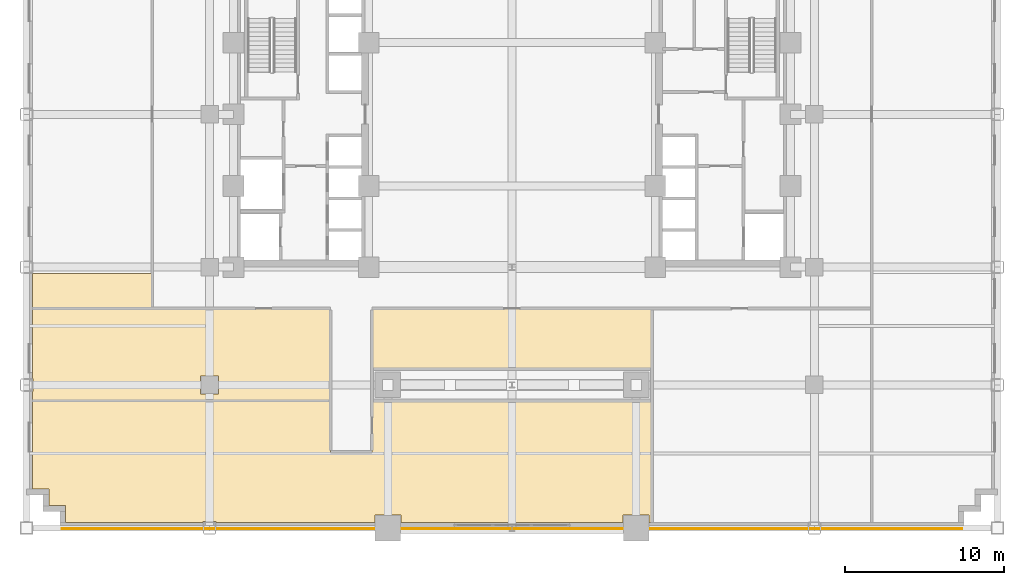
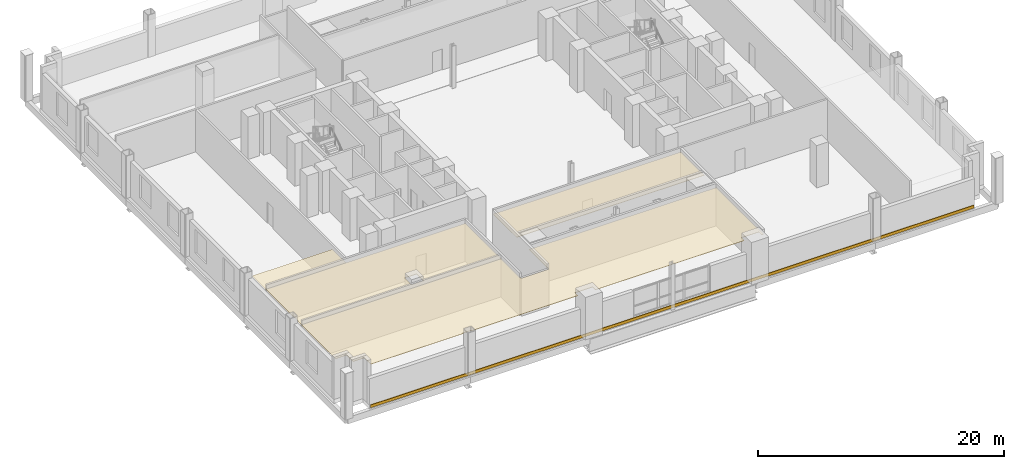
# One storey, part 12 of 17: 5 coverings.
"""IFC4 building model written with IfcOpenShell, lengths in metres."""

from ifc_helpers import new_model, si_unit, direction, frame, origin, origin_2d, place, context, subcontext, project, spatial, polyline, rectangle, outline, extrude, source, transform, mapped, material, layer, layer_set, type_object, type_shapes, element, save


model = new_model("IFC4")

# Units and contexts
model_context = context("Model", 3, precision=1e-05, world=origin(), true_north=direction((0.0, 1.0)))
body_context = subcontext(model_context, "Body", "Model", "MODEL_VIEW")
ifc_project = project(units=[si_unit("LENGTHUNIT", "METRE"), si_unit("AREAUNIT", "SQUARE_METRE"), si_unit("VOLUMEUNIT", "CUBIC_METRE"), si_unit("PLANEANGLEUNIT", "RADIAN"), si_unit("MASSUNIT", "GRAM", prefix="KILO")], contexts=[model_context])

# Site, building, storey
site_placement = place(None, origin())
site = spatial("IfcSite", under=ifc_project, at=site_placement, CompositionType="ELEMENT")
building_placement = place(site_placement, origin())
building = spatial("IfcBuilding", under=site, at=building_placement, Name="Nuvemarco Arch Tower", CompositionType="ELEMENT")
storey_placement = place(building_placement, frame((0.0, 0.0, 18.39990234375)))
storey = spatial("IfcBuildingStorey", under=building, at=storey_placement, Name="L04", CompositionType="ELEMENT", Elevation=18.39990234375)

# Coverings
ifc_material_1 = material(Name="Mineral acoustic ceiling tile")
ifc_layer_1 = layer(ifc_material_1, 0.0400390625, Name="COV-ACOUSTIC-CLG")
ifc_layer_set_1 = layer_set([ifc_layer_1], Name="Mineral acoustic ceiling tile")
covering_type_1 = type_object("IfcCoveringType", Name="COV-ACOUSTIC-CLG", PredefinedType="CEILING", material=ifc_layer_set_1)
covering_1_placement = place(storey_placement, frame((0.0, 0.0, 3.68017578125)))
element("IfcCovering", 1, at=covering_1_placement, inside=storey, type_object=covering_type_1, Name="L04 suspended acoustic ceiling 1", PredefinedType="CEILING", context=body_context, shape_type="SweptSolid", body=[
    extrude(outline(polyline([(-6.985107421875, -25.18505859375), (-8.614990234375, -25.18505859375), (-8.614990234375, -25.639892578125), (-18.5849609375, -25.639892578125), (-18.5849609375, -25.5849609375), (-19.4150390625, -25.5849609375), (-19.4150390625, -25.639892578125), (-28.0400390625, -25.639892578125), (-28.0400390625, -24.590087890625), (-29.090087890625, -24.590087890625), (-29.090087890625, -23.5400390625), (-30.139892578125, -23.5400390625), (-30.139892578125, -18.0), (-11.39990234375, -18.0), (-11.39990234375, -21.199951171875), (-8.800048828125, -21.199951171875), (-8.800048828125, -18.0), (8.800048828125, -18.0), (8.800048828125, -25.639892578125), (8.614990234375, -25.639892578125), (8.614990234375, -25.18505859375), (6.985107421875, -25.18505859375), (6.985107421875, -25.639892578125), (-6.985107421875, -25.639892578125), (-6.985107421875, -25.18505859375)])), origin(), (0.0, 0.0, 1.0), 0.0400390625),
])
covering_2_placement = place(storey_placement, frame((0.0, 0.0, 3.68017578125)))
element("IfcCovering", 2, at=covering_2_placement, inside=storey, type_object=covering_type_1, Name="L04 suspended acoustic ceiling 4", PredefinedType="CEILING", context=body_context, shape_type="SweptSolid", body=[
    extrude(outline(polyline([(-30.139892578125, -10.014892578125), (-30.0849609375, -10.014892578125), (-30.0849609375, -10.0), (-22.60009765625, -10.0), (-22.60009765625, -12.199951171875), (-30.139892578125, -12.199951171875), (-30.139892578125, -10.014892578125)])), origin(), (0.0, 0.0, 1.0), 0.0400390625),
])
covering_3_placement = place(storey_placement, frame((0.0, 0.0, 3.68017578125)))
element("IfcCovering", 3, at=covering_3_placement, inside=storey, type_object=covering_type_1, Name="L04 suspended acoustic ceiling 7", PredefinedType="CEILING", context=body_context, shape_type="SweptSolid", body=[
    extrude(outline(polyline([(-22.60009765625, -12.199951171875), (-19.800048828125, -12.199951171875), (-11.39990234375, -12.199951171875), (-11.39990234375, -18.0), (-30.139892578125, -18.0), (-30.139892578125, -17.4150390625), (-30.0849609375, -17.4150390625), (-30.0849609375, -16.5849609375), (-30.139892578125, -16.5849609375), (-30.139892578125, -12.199951171875), (-22.60009765625, -12.199951171875)]), holes=[polyline([(-18.43505859375, -17.56494140625), (-18.43505859375, -16.43505859375), (-19.56494140625, -16.43505859375), (-19.56494140625, -17.56494140625), (-18.43505859375, -17.56494140625)])]), origin(), (0.0, 0.0, 1.0), 0.0400390625),
])
covering_4_placement = place(storey_placement, frame((0.0, 0.0, 3.68017578125)))
element("IfcCovering", 4, at=covering_4_placement, inside=storey, type_object=covering_type_1, Name="L04 suspended acoustic ceiling 9", PredefinedType="CEILING", context=body_context, shape_type="SweptSolid", body=[
    extrude(outline(polyline([(-8.800048828125, -12.199951171875), (8.800048828125, -12.199951171875), (8.800048828125, -16.0), (-8.800048828125, -16.0), (-8.800048828125, -12.199951171875)])), origin(), (0.0, 0.0, 1.0), 0.0400390625),
])
ifc_material_2 = material(Name="Precast concrete C45/55", Category="concrete")
ifc_layer_2 = layer(ifc_material_2, 0.06005859375, Name="COV-SPANDREL-CLAD")
ifc_layer_set_2 = layer_set([ifc_layer_2], Name="Precast concrete C45/55")
covering_type_2 = type_object("IfcCoveringType", Name="COV-SPANDREL-CLAD", PredefinedType="CLADDING", material=ifc_layer_set_2)
shared_shape = source(origin(), body_context, "Body", "SweptSolid", [
    extrude(rectangle(XDim=56.60009765625, YDim=0.06005859375, at=origin_2d()), origin(), (0.0, 0.0, 1.0), 0.280029296875),
])
type_shapes(covering_type_2, [shared_shape])
covering_5_placement = place(storey_placement, frame((0.0, -26.029052734375, -0.27978515625), z_axis=(0.0, 0.0, 1.0), x_axis=(1.0, 0.0, 0.0)))
element("IfcCovering", 5, at=covering_5_placement, inside=storey, type_object=covering_type_2, Name="L04 precast spandrel edge cladding south", PredefinedType="CLADDING", context=body_context, shape_type="MappedRepresentation", body=[
    mapped(shared_shape, transform((0.0, 0.0, 0.0), scale=1.0)),
])

save(model, "model.ifc")
